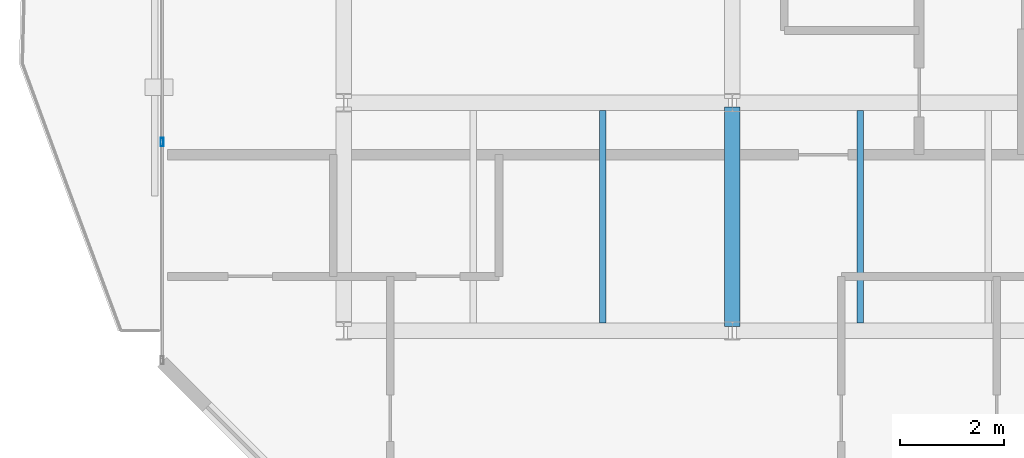
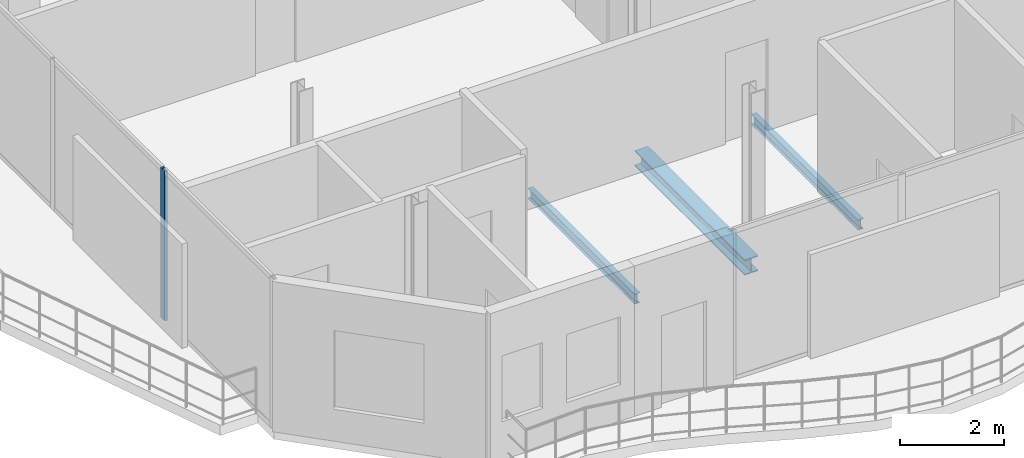
# One storey, part 5 of 23: 3 beams, 1 member, 1 element without a shape of its own.
"""IFC4 building model written with IfcOpenShell, lengths in metres."""

from ifc_helpers import new_model, si_unit, direction, frame, origin, origin_2d, place, context, subcontext, project, spatial, hollow_rectangle, i_section, extrude, material, layer, layer_set, material_profile, profile_set, type_object, element, aggregate, save


model = new_model("IFC4")

# Units and contexts
model_context = context("Model", 3, precision=1e-05, world=origin(), true_north=direction((0.0, 1.0)))
body_context = subcontext(model_context, "Body", "Model", "MODEL_VIEW")
ifc_project = project(units=[si_unit("LENGTHUNIT", "METRE"), si_unit("AREAUNIT", "SQUARE_METRE"), si_unit("VOLUMEUNIT", "CUBIC_METRE"), si_unit("PLANEANGLEUNIT", "RADIAN"), si_unit("MASSUNIT", "GRAM", prefix="KILO")], contexts=[model_context])

# Site, building, storey
site_placement = place(None, origin())
site = spatial("IfcSite", under=ifc_project, at=site_placement, CompositionType="ELEMENT")
building_placement = place(site_placement, origin())
building = spatial("IfcBuilding", under=site, at=building_placement, Name="Catumbela Crestline Tower", CompositionType="ELEMENT")
storey_placement = place(building_placement, frame((0.0, 0.0, 252.6)))
storey = spatial("IfcBuildingStorey", under=building, at=storey_placement, Name="L65", CompositionType="ELEMENT", Elevation=252.6)

# Beams
ifc_material_1 = material(Name="Structural steel S355J2", Category="steel")
ifc_material_profile_1 = material_profile(ifc_material_1, i_section(OverallWidth=0.3, OverallDepth=0.36, WebThickness=0.0125, FlangeThickness=0.0225, FilletRadius=0.027, at=origin_2d()), Name="HEB 360")
ifc_profile_set_1 = profile_set([ifc_material_profile_1], Name="Structural steel S355J2")
beam_type_1 = type_object("IfcBeamType", Name="BG-HEB360", PredefinedType="BEAM", material=ifc_profile_set_1)
beam_placement = place(storey_placement, frame((16.0, 13.68, -0.44), z_axis=(0.0, 1.0, 0.0), x_axis=(-1.0, 0.0, 0.0)))
element("IfcBeam", 1, at=beam_placement, inside=storey, type_object=beam_type_1, Name="L65 Beam BM-L65-WNS33", PredefinedType="BEAM", context=body_context, shape_type="SweptSolid", body=[
    extrude(i_section(OverallWidth=0.3, OverallDepth=0.36, WebThickness=0.0125, FlangeThickness=0.0225, FilletRadius=0.027, at=origin_2d()), origin(), (0.0, 0.0, 1.0), 4.24),
])
ifc_material_profile_2 = material_profile(ifc_material_1, i_section(OverallWidth=0.12, OverallDepth=0.24, WebThickness=0.0062, FlangeThickness=0.0098, FilletRadius=0.015, at=origin_2d()), Name="IPE 240")
ifc_profile_set_2 = profile_set([ifc_material_profile_2], Name="Structural steel S355J2")
beam_type_2 = type_object("IfcBeamType", Name="BJ-IPE240", PredefinedType="JOIST", material=ifc_profile_set_2)
for number, where, z_axis, x_axis, name in (
    (2, (13.5, 13.747, -0.38), (0.0, 1.0, 0.0), (-1.0, 0.0, 0.0), "L65 Joist JS-L65-WG37"),
    (3, (18.467, 13.747, -0.38), (0.0, 1.0, 0.0), (-1.0, 0.0, 0.0), "L65 Joist JS-L65-WG38"),
):
    element("IfcBeam", number, at=place(storey_placement, frame(where, z_axis=z_axis, x_axis=x_axis)), inside=storey, type_object=beam_type_2, Name=name, PredefinedType="JOIST", context=body_context, shape_type="SweptSolid", body=[
        extrude(i_section(OverallWidth=0.12, OverallDepth=0.24, WebThickness=0.0062, FlangeThickness=0.0098, FilletRadius=0.015, at=origin_2d()), origin(), (0.0, 0.0, 1.0), 4.106),
    ])

# Curtain wall, member
ifc_material_2 = material(Name="Aluminium alloy AW-6060-T66", Category="aluminium")
ifc_layer = layer(ifc_material_2, 0.18, Name="Aluminium alloy AW-6060-T66")
ifc_layer_set = layer_set([ifc_layer], Name="Aluminium alloy AW-6060-T66")
curtain_wall_type = type_object("IfcCurtainWallType", Name="CWU-Z4", PredefinedType="USERDEFINED", material=ifc_layer_set)
curtain_wall_placement = place(storey_placement, origin())
curtain_wall = element("IfcCurtainWall", 4, at=curtain_wall_placement, inside=storey, type_object=curtain_wall_type, Name="L65 Unitised Curtain Wall CW-L65-E9S2", ObjectType="UNITISED", PredefinedType="USERDEFINED")
ifc_material_profile_3 = material_profile(ifc_material_2, hollow_rectangle(XDim=0.06, YDim=0.16, WallThickness=0.004, at=origin_2d()), Name="ALU 160x60x4")
ifc_profile_set_3 = profile_set([ifc_material_profile_3], Name="Aluminium alloy AW-6060-T66")
member_type = type_object("IfcMemberType", Name="MUL-160X60", PredefinedType="MULLION", material=ifc_profile_set_3)
member_placement = place(storey_placement, frame((5.0, 17.24, 0.0), z_axis=(0.0, 0.0, 1.0), x_axis=(1.0, 0.0, 0.0)))
member = element("IfcMember", 5, at=member_placement, type_object=member_type, Name="CWU-Z4 mullion 5", PredefinedType="MULLION", context=body_context, shape_type="SweptSolid", body=[
    extrude(hollow_rectangle(XDim=0.06, YDim=0.16, WallThickness=0.004, at=origin_2d()), origin(), (0.0, 0.0, 1.0), 3.53),
])
aggregate(curtain_wall, [member])

save(model, "model.ifc")
